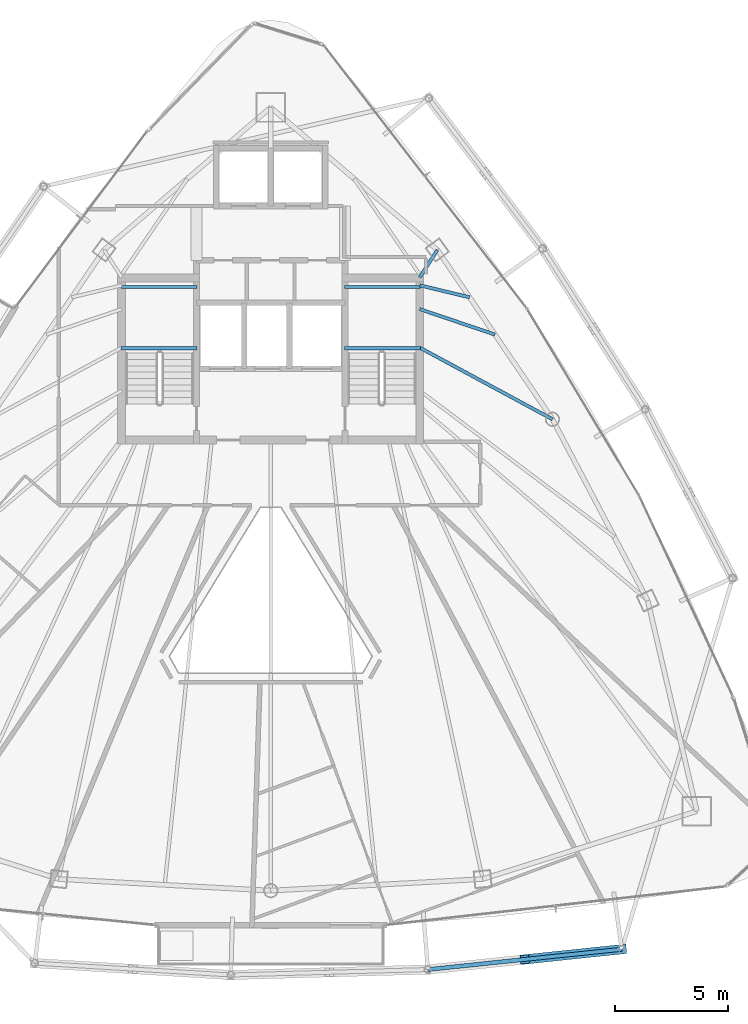
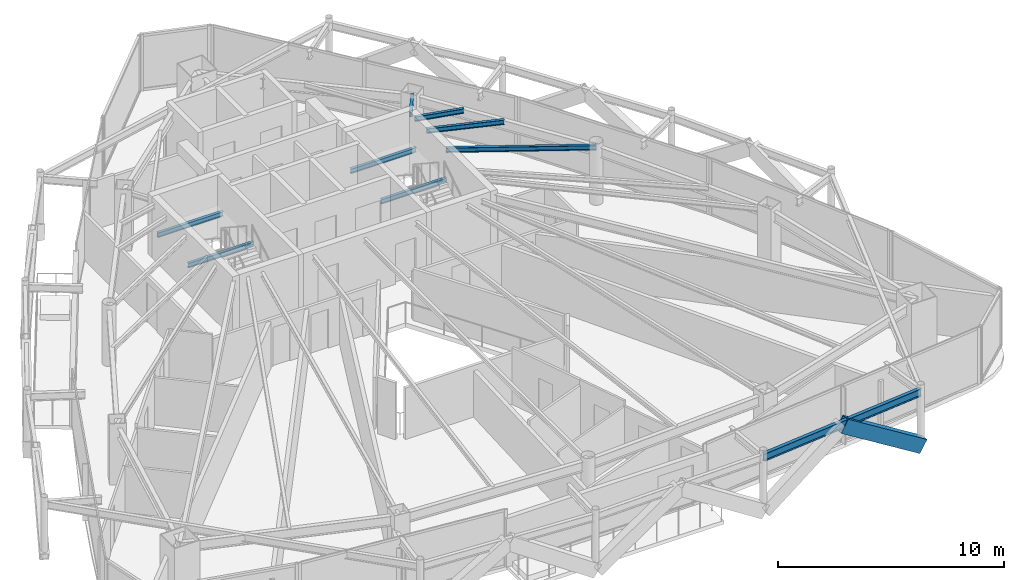
# One storey, part 13 of 30: 9 beams, 1 member.
"""IFC4 building model written with IfcOpenShell, lengths in metres."""

from ifc_helpers import new_model, si_unit, direction, frame, origin, origin_2d, place, context, subcontext, project, spatial, hollow_rectangle, i_section, extrude, material, material_profile, profile_set, type_object, element, save


model = new_model("IFC4")

# Units and contexts
model_context = context("Model", 3, precision=1e-05, world=origin(), true_north=direction((0.0, 1.0)))
body_context = subcontext(model_context, "Body", "Model", "MODEL_VIEW")
ifc_project = project(units=[si_unit("LENGTHUNIT", "METRE"), si_unit("AREAUNIT", "SQUARE_METRE"), si_unit("VOLUMEUNIT", "CUBIC_METRE"), si_unit("PLANEANGLEUNIT", "RADIAN"), si_unit("MASSUNIT", "GRAM", prefix="KILO")], contexts=[model_context])

# Site, building, storey
site_placement = place(None, origin())
site = spatial("IfcSite", under=ifc_project, at=site_placement, CompositionType="ELEMENT")
building_placement = place(site_placement, origin())
building = spatial("IfcBuilding", under=site, at=building_placement, Name="Orvanel Arch Residences", CompositionType="ELEMENT")
storey_placement = place(building_placement, frame((0.0, 0.0, 240.35009765625)))
storey = spatial("IfcBuildingStorey", under=building, at=storey_placement, Name="L68", CompositionType="ELEMENT", Elevation=240.35009765625)

# Beams
ifc_material_1 = material(Name="Structural steel AS/NZS 3679.1 Grade 300 (300 MPa)", Category="steel")
ifc_material_profile_1 = material_profile(ifc_material_1, i_section(OverallWidth=0.14599609375, OverallDepth=0.251953125, WebThickness=0.006103515625, FlangeThickness=0.008544921875, at=origin_2d()), Name="250UB31.4")
ifc_profile_set_1 = profile_set([ifc_material_profile_1], Name="Structural steel AS/NZS 3679.1 Grade 300 (300 MPa)")
beam_type_1 = type_object("IfcBeamType", Name="BJ-250UB", PredefinedType="JOIST", material=ifc_profile_set_1)
for number, where, z_axis, x_axis, name in (
    (1, (26.39990234375, 30.780029296875, 1.323974609375), (1.0, 0.0, 0.0), (0.0, 1.0, 0.0), "L68 ST-1 Half-Landing Support Beam 1.1"),
    (2, (26.39990234375, 33.47998046875, 1.323974609375), (1.0, 0.0, 0.0), (0.0, 1.0, 0.0), "L68 ST-1 Half-Landing Support Beam 1.2"),
    (3, (36.25, 30.780029296875, 1.323974609375), (1.0, 0.0, 0.0), (0.0, 1.0, 0.0), "L68 ST-2 Half-Landing Support Beam 1.1"),
    (4, (36.25, 33.47998046875, 1.323974609375), (1.0, 0.0, 0.0), (0.0, 1.0, 0.0), "L68 ST-2 Half-Landing Support Beam 1.2"),
):
    element("IfcBeam", number, at=place(storey_placement, frame(where, z_axis=z_axis, x_axis=x_axis)), inside=storey, type_object=beam_type_1, Name=name, PredefinedType="JOIST", context=body_context, shape_type="SweptSolid", body=[
        extrude(i_section(OverallWidth=0.14599609375, OverallDepth=0.251953125, WebThickness=0.006103515625, FlangeThickness=0.008544921875, at=origin_2d()), origin(), (0.0, 0.0, 1.0), 3.35009765625),
    ])
beam_1_placement = place(storey_placement, frame((39.574951171875, 33.89990234375, 2.933837890625), z_axis=(0.539395075146, 0.842052820735, 0.0), x_axis=(-0.842052820735, 0.539395075146, 0.0)))
element("IfcBeam", 5, at=beam_1_placement, inside=storey, type_object=beam_type_1, Name="L68 NNE Wing Floor Joist", PredefinedType="JOIST", context=body_context, shape_type="SweptSolid", body=[
    extrude(i_section(OverallWidth=0.14599609375, OverallDepth=0.251953125, WebThickness=0.006103515625, FlangeThickness=0.008544921875, at=origin_2d()), origin(), (0.0, 0.0, 1.0), 1.440673828125),
])
beam_2_placement = place(storey_placement, frame((39.574951171875, 30.800048828125, 2.933837890625), z_axis=(0.880111494021, -0.474767056664, 0.0), x_axis=(0.474767056664, 0.880111494021, 0.0)))
element("IfcBeam", 6, at=beam_2_placement, inside=storey, type_object=beam_type_1, Name="L68 NE Wing Floor Joist", PredefinedType="JOIST", context=body_context, shape_type="SweptSolid", body=[
    extrude(i_section(OverallWidth=0.14599609375, OverallDepth=0.251953125, WebThickness=0.006103515625, FlangeThickness=0.008544921875, at=origin_2d()), origin(), (0.0, 0.0, 1.0), 6.653564453125),
])
beam_3_placement = place(storey_placement, frame((39.574951171875, 32.5, 2.933837890625), z_axis=(0.947159269453, -0.320763648641, 0.0), x_axis=(0.320763648641, 0.947159269453, 0.0)))
element("IfcBeam", 7, at=beam_3_placement, inside=storey, type_object=beam_type_1, Name="L68 ENE Wing Floor Joist", PredefinedType="JOIST", context=body_context, shape_type="SweptSolid", body=[
    extrude(i_section(OverallWidth=0.14599609375, OverallDepth=0.251953125, WebThickness=0.006103515625, FlangeThickness=0.008544921875, at=origin_2d()), origin(), (0.0, 0.0, 1.0), 3.501220703125),
])
beam_4_placement = place(storey_placement, frame((39.574951171875, 33.550048828125, 2.933837890625), z_axis=(0.972256833016, -0.23391590509, 0.0), x_axis=(0.23391590509, 0.972256833016, 0.0)))
element("IfcBeam", 8, at=beam_4_placement, inside=storey, type_object=beam_type_1, Name="L68 JADD4 Wing Floor Joist", PredefinedType="JOIST", context=body_context, shape_type="SweptSolid", body=[
    extrude(i_section(OverallWidth=0.14599609375, OverallDepth=0.251953125, WebThickness=0.006103515625, FlangeThickness=0.008544921875, at=origin_2d()), origin(), (0.0, 0.0, 1.0), 2.26171875),
])

# Member
ifc_material_2 = material(Name="Structural steel AS/NZS 3678 Grade 350", Category="steel")
ifc_material_profile_2 = material_profile(ifc_material_2, hollow_rectangle(XDim=0.419921875, YDim=0.719970703125, WallThickness=0.02490234375, at=origin_2d()), Name="RHS720x420x25")
ifc_profile_set_2 = profile_set([ifc_material_profile_2], Name="Structural steel AS/NZS 3678 Grade 350")
member_type = type_object("IfcMemberType", Name="BR-720RHS-EXT", PredefinedType="BRACE", material=ifc_profile_set_2)
member_placement = place(storey_placement, frame((48.488037109375, 4.258056640625, 0.0), z_axis=(-0.828416995567, -0.086771230485, 0.553349830591), x_axis=(0.104173526787, -0.994559136661, 0.0)))
element("IfcMember", 9, at=member_placement, inside=storey, type_object=member_type, Name="L68 Exterior Sky-Garden V-Frame Chevron F2B3.2", PredefinedType="BRACE", context=body_context, shape_type="SweptSolid", body=[
    extrude(hollow_rectangle(XDim=0.419921875, YDim=0.719970703125, WallThickness=0.02490234375, at=origin_2d()), origin(), (0.0, 0.0, 1.0), 5.1630859375),
])

# Beam
ifc_material_profile_3 = material_profile(ifc_material_1, i_section(OverallWidth=0.177978515625, OverallDepth=0.406005859375, WebThickness=0.0078125, FlangeThickness=0.0126953125, at=origin_2d()), Name="410UB59.7")
ifc_profile_set_3 = profile_set([ifc_material_profile_3], Name="Structural steel AS/NZS 3679.1 Grade 300 (300 MPa)")
beam_type_2 = type_object("IfcBeamType", Name="OB-410UB-EXT", PredefinedType="SPANDREL", material=ifc_profile_set_3)
beam_5_placement = place(storey_placement, frame((39.93408203125, 3.362060546875, 2.85693359375), z_axis=(0.994558828609, 0.104176467763, 0.0), x_axis=(-0.104176467763, 0.994558828609, 0.0)))
element("IfcBeam", 10, at=beam_5_placement, inside=storey, type_object=beam_type_2, Name="L68 Outer Perimeter Floor Ring Beam 07", PredefinedType="SPANDREL", context=body_context, shape_type="SweptSolid", body=[
    extrude(i_section(OverallWidth=0.177978515625, OverallDepth=0.406005859375, WebThickness=0.0078125, FlangeThickness=0.0126953125, at=origin_2d()), origin(), (0.0, 0.0, 1.0), 8.600830078125),
])

save(model, "model.ifc")
